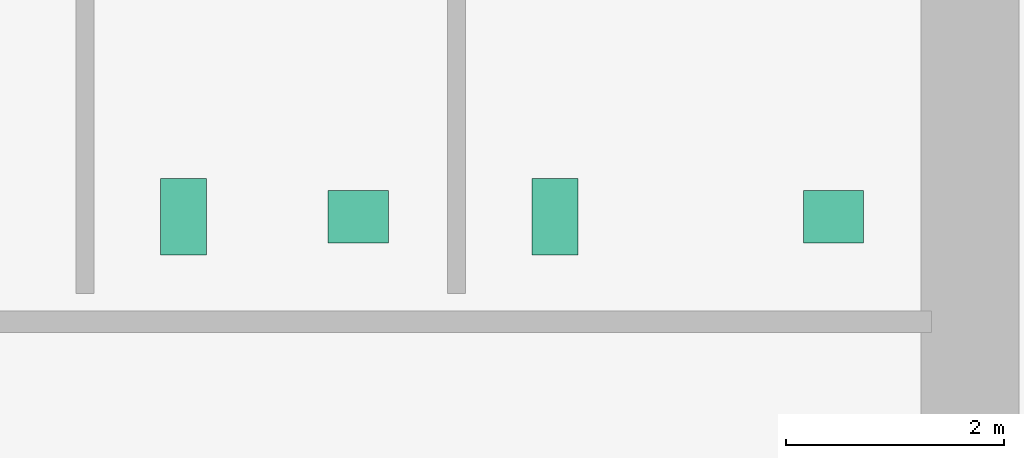
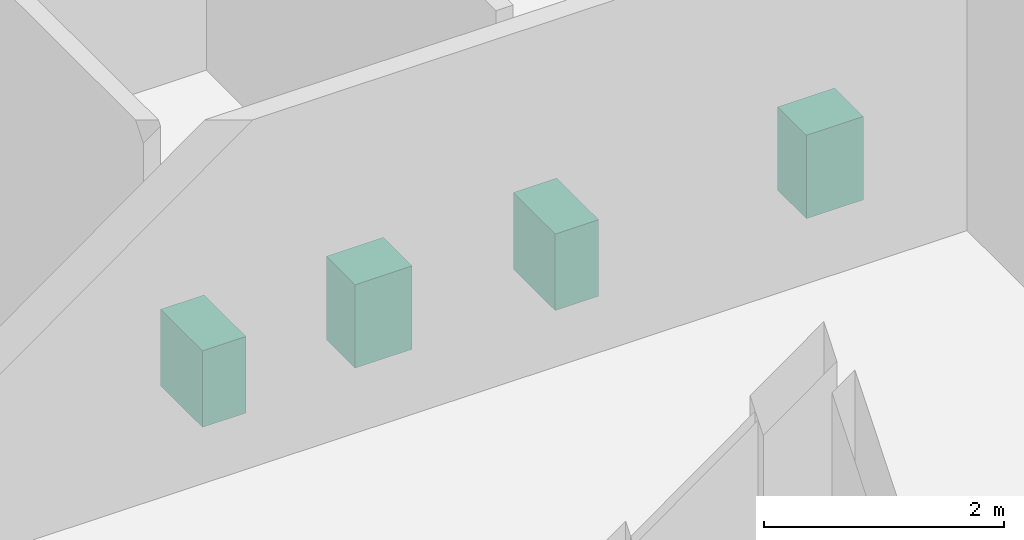
# One storey, part 13 of 13: 4 sanitary terminals.
"""IFC4 building model written with IfcOpenShell, lengths in metres."""

from ifc_helpers import new_model, si_unit, direction, frame, origin, origin_2d, place, context, subcontext, project, spatial, rectangle, extrude, material, type_object, element, save


model = new_model("IFC4")

# Units and contexts
model_context = context("Model", 3, precision=1e-05, world=origin(), true_north=direction((0.0, 1.0)))
body_context = subcontext(model_context, "Body", "Model", "MODEL_VIEW")
ifc_project = project(units=[si_unit("LENGTHUNIT", "METRE"), si_unit("AREAUNIT", "SQUARE_METRE"), si_unit("VOLUMEUNIT", "CUBIC_METRE"), si_unit("PLANEANGLEUNIT", "RADIAN"), si_unit("MASSUNIT", "GRAM", prefix="KILO")], contexts=[model_context])

# Site, building, storey
site_placement = place(None, origin())
site = spatial("IfcSite", under=ifc_project, at=site_placement, CompositionType="ELEMENT")
building_placement = place(site_placement, origin())
building = spatial("IfcBuilding", under=site, at=building_placement, Name="Norrvale University Quadrangle", CompositionType="ELEMENT")
storey_placement = place(building_placement, frame((0.0, 0.0, 54.60009765625)))
storey = spatial("IfcBuildingStorey", under=building, at=storey_placement, Name="L13", CompositionType="ELEMENT", Elevation=54.60009765625)

# Sanitary terminals
ifc_material = material(Name="Vitreous China Sanitaryware")
sanitary_terminal_type_1 = type_object("IfcSanitaryTerminalType", Name="Sanitary Wash Basin", PredefinedType="WASHHANDBASIN", material=ifc_material)
for number, where, z_axis, x_axis, name in (
    (1, (11.199951171875, 41.10009765625, -0.000244140625), (0.0, 0.0, 1.0), (1.0, 0.0, 0.0), "Accessible Countertop Washbasin L13-1"),
    (2, (15.550048828125, 41.10009765625, -0.000244140625), (0.0, 0.0, 1.0), (1.0, 0.0, 0.0), "Accessible Countertop Washbasin L13-2"),
):
    element("IfcSanitaryTerminal", number, at=place(storey_placement, frame(where, z_axis=z_axis, x_axis=x_axis)), inside=storey, type_object=sanitary_terminal_type_1, Name=name, PredefinedType="WASHHANDBASIN", context=body_context, shape_type="SweptSolid", body=[
        extrude(rectangle(XDim=0.550048828125, YDim=0.47998046875, at=origin_2d()), origin(), (0.0, 0.0, 1.0), 0.85009765625),
    ])
sanitary_terminal_type_2 = type_object("IfcSanitaryTerminalType", Name="Sanitary Water Closet", PredefinedType="TOILETPAN", material=ifc_material)
for number, where, z_axis, x_axis, name in (
    (3, (9.60009765625, 41.10009765625, 0.0), (0.0, 0.0, 1.0), (1.0, 0.0, 0.0), "Wall-Hung Water Closet L13-1"),
    (4, (13.0, 41.10009765625, 0.0), (0.0, 0.0, 1.0), (1.0, 0.0, 0.0), "Wall-Hung Water Closet L13-2"),
):
    element("IfcSanitaryTerminal", number, at=place(storey_placement, frame(where, z_axis=z_axis, x_axis=x_axis)), inside=storey, type_object=sanitary_terminal_type_2, Name=name, PredefinedType="TOILETPAN", context=body_context, shape_type="SweptSolid", body=[
        extrude(rectangle(XDim=0.419921875, YDim=0.699951171875, at=origin_2d()), origin(), (0.0, 0.0, 1.0), 0.780029296875),
    ])

save(model, "model.ifc")
